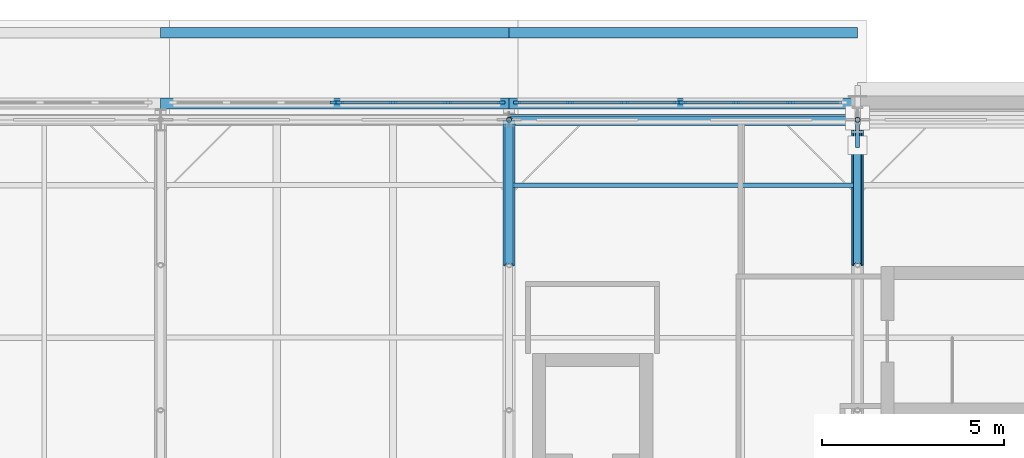
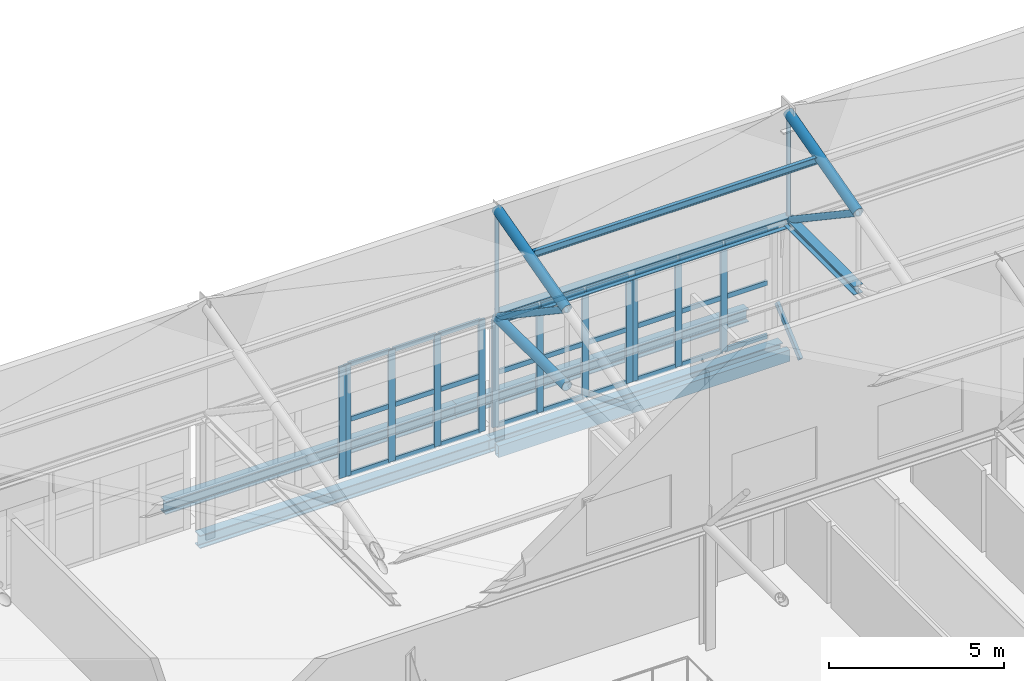
# One storey, part 43 of 89: 49 members, 6 beams, 4 elements without a shape of their own.
"""IFC4 building model written with IfcOpenShell, lengths in metres."""

from ifc_helpers import new_model, si_unit, direction, frame, origin, origin_2d, place, context, subcontext, project, spatial, rectangle, hollow_rectangle, hollow_circle, i_section, extrude, material, layer, layer_set, material_profile, profile_set, type_object, element, aggregate, save


model = new_model("IFC4")

# Units and contexts
model_context = context("Model", 3, precision=1e-05, world=origin(), true_north=direction((0.0, 1.0)))
body_context = subcontext(model_context, "Body", "Model", "MODEL_VIEW")
ifc_project = project(units=[si_unit("LENGTHUNIT", "METRE"), si_unit("AREAUNIT", "SQUARE_METRE"), si_unit("VOLUMEUNIT", "CUBIC_METRE"), si_unit("PLANEANGLEUNIT", "RADIAN"), si_unit("MASSUNIT", "GRAM", prefix="KILO")], contexts=[model_context])

# Site, building, storey
site_placement = place(None, origin())
site = spatial("IfcSite", under=ifc_project, at=site_placement, CompositionType="ELEMENT")
building_placement = place(site_placement, origin())
building = spatial("IfcBuilding", under=site, at=building_placement, Name="Zereglee Splitstone Museum", CompositionType="ELEMENT")
storey_placement = place(building_placement, frame((0.0, 0.0, 21.300048828125)))
storey = spatial("IfcBuildingStorey", under=building, at=storey_placement, Name="L04", CompositionType="ELEMENT", Elevation=21.300048828125)

# Members
ifc_material_1 = material(Name="Steel S355J2H", Category="steel")
ifc_material_profile_1 = material_profile(ifc_material_1, hollow_circle(Radius=0.109619140625, WallThickness=0.010009765625, at=origin_2d()), Name="CHS 219.1x10")
ifc_profile_set_1 = profile_set([ifc_material_profile_1], Name="Steel S355J2H")
member_type_1 = type_object("IfcMemberType", Name="TB-03", PredefinedType="BRACE", material=ifc_profile_set_1)
for number, where, z_axis, x_axis, name in (
    (1, (116.39990234375, 50.39990234375, 4.199951171875), (0.0, -0.830448263685, 0.557095755991), (1.0, 0.0, 0.0), "Roof Truss ST-05 Diagonal 3.3"),
    (2, (126.0, 50.39990234375, 4.199951171875), (0.0, -0.830448263685, 0.557095755991), (1.0, 0.0, 0.0), "Roof Truss ST-06 Diagonal 3.3"),
):
    element("IfcMember", number, at=place(storey_placement, frame(where, z_axis=z_axis, x_axis=x_axis)), inside=storey, type_object=member_type_1, Name=name, PredefinedType="BRACE", context=body_context, shape_type="SweptSolid", body=[
        extrude(hollow_circle(Radius=0.109619140625, WallThickness=0.010009765625, at=origin_2d()), origin(), (0.0, 0.0, 1.0), 4.816650390625),
    ])

# Curtain wall, members
ifc_material_2 = material(Name="Triple-glazed low-E argon glass and bronze-anodised aluminium", Category="aluminium")
ifc_layer_1 = layer(ifc_material_2, 0.219970703125)
ifc_layer_set_1 = layer_set([ifc_layer_1], Name="Triple-glazed low-E argon glass and bronze-anodised aluminium")
curtain_wall_type_1 = type_object("IfcCurtainWallType", Name="CW-0449-378", PredefinedType="USERDEFINED", material=ifc_layer_set_1)
curtain_wall_1_placement = place(storey_placement, origin())
curtain_wall_1 = element("IfcCurtainWall", 3, at=curtain_wall_1_placement, inside=storey, type_object=curtain_wall_type_1, Name="Glazed Curtain Wall CW-0449-378 (L04)", ObjectType="GLAZED CURTAIN WALL", PredefinedType="USERDEFINED")
ifc_material_3 = material(Name="Thermally broken bronze-anodised aluminium", Category="aluminium")
ifc_material_profile_2 = material_profile(ifc_material_3, rectangle(XDim=0.074951171875, YDim=0.219970703125, at=origin_2d()), Name="CW MULL 75x220")
ifc_profile_set_2 = profile_set([ifc_material_profile_2], Name="Thermally broken bronze-anodised aluminium")
member_type_2 = type_object("IfcMemberType", Name="CWM-02", PredefinedType="MULLION", material=ifc_profile_set_2)
member_1_placement = place(storey_placement, frame((124.146240234375, 50.8798828125, 0.0), z_axis=(0.0, 0.0, 1.0), x_axis=(0.0, -1.0, 0.0)))
member_1 = element("IfcMember", 4, at=member_1_placement, type_object=member_type_2, Name="CW-0449-378 mullion 2", PredefinedType="MULLION", context=body_context, shape_type="SweptSolid", body=[
    extrude(rectangle(XDim=0.074951171875, YDim=0.219970703125, at=origin_2d()), origin(), (0.0, 0.0, 1.0), 3.780029296875),
])
member_2_placement = place(storey_placement, frame((122.650634765625, 50.8798828125, 0.0), z_axis=(0.0, 0.0, 1.0), x_axis=(0.0, -1.0, 0.0)))
member_2 = element("IfcMember", 5, at=member_2_placement, type_object=member_type_2, Name="CW-0449-378 mullion 3", PredefinedType="MULLION", context=body_context, shape_type="SweptSolid", body=[
    extrude(rectangle(XDim=0.074951171875, YDim=0.219970703125, at=origin_2d()), origin(), (0.0, 0.0, 1.0), 3.780029296875),
])
member_3_placement = place(storey_placement, frame((121.1923828125, 50.8798828125, 0.0), z_axis=(0.0, 0.0, 1.0), x_axis=(0.0, -1.0, 0.0)))
member_3 = element("IfcMember", 6, at=member_3_placement, type_object=member_type_2, Name="CW-0449-378 mullion 4", PredefinedType="MULLION", context=body_context, shape_type="SweptSolid", body=[
    extrude(rectangle(XDim=0.074951171875, YDim=0.219970703125, at=origin_2d()), origin(), (0.0, 0.0, 1.0), 3.780029296875),
])

ifc_layer_2 = layer(ifc_material_2, 0.219970703125)
ifc_layer_set_2 = layer_set([ifc_layer_2], Name="Triple-glazed low-E argon glass and bronze-anodised aluminium")
curtain_wall_type_2 = type_object("IfcCurtainWallType", Name="CW-0449-376", PredefinedType="USERDEFINED", material=ifc_layer_set_2)
curtain_wall_2_placement = place(storey_placement, origin())
curtain_wall_2 = element("IfcCurtainWall", 7, at=curtain_wall_2_placement, inside=storey, type_object=curtain_wall_type_2, Name="Glazed Curtain Wall CW-0449-376 (L04)", ObjectType="GLAZED CURTAIN WALL", PredefinedType="USERDEFINED")
member_4_placement = place(storey_placement, frame((121.03759765625, 50.8798828125, 0.0), z_axis=(0.0, 0.0, 1.0), x_axis=(0.0, -1.0, 0.0)))
member_4 = element("IfcMember", 8, at=member_4_placement, type_object=member_type_2, Name="CW-0449-376 mullion 1", PredefinedType="MULLION", context=body_context, shape_type="SweptSolid", body=[
    extrude(rectangle(XDim=0.074951171875, YDim=0.219970703125, at=origin_2d()), origin(), (0.0, 0.0, 1.0), 3.760009765625),
])
member_5_placement = place(storey_placement, frame((119.579345703125, 50.8798828125, 0.0), z_axis=(0.0, 0.0, 1.0), x_axis=(0.0, -1.0, 0.0)))
member_5 = element("IfcMember", 9, at=member_5_placement, type_object=member_type_2, Name="CW-0449-376 mullion 2", PredefinedType="MULLION", context=body_context, shape_type="SweptSolid", body=[
    extrude(rectangle(XDim=0.074951171875, YDim=0.219970703125, at=origin_2d()), origin(), (0.0, 0.0, 1.0), 3.760009765625),
])
member_6_placement = place(storey_placement, frame((118.083740234375, 50.8798828125, 0.0), z_axis=(0.0, 0.0, 1.0), x_axis=(0.0, -1.0, 0.0)))
member_6 = element("IfcMember", 10, at=member_6_placement, type_object=member_type_2, Name="CW-0449-376 mullion 3", PredefinedType="MULLION", context=body_context, shape_type="SweptSolid", body=[
    extrude(rectangle(XDim=0.074951171875, YDim=0.219970703125, at=origin_2d()), origin(), (0.0, 0.0, 1.0), 3.760009765625),
])
member_7_placement = place(storey_placement, frame((116.62548828125, 50.8798828125, 0.0), z_axis=(0.0, 0.0, 1.0), x_axis=(0.0, -1.0, 0.0)))
member_7 = element("IfcMember", 11, at=member_7_placement, type_object=member_type_2, Name="CW-0449-376 mullion 4", PredefinedType="MULLION", context=body_context, shape_type="SweptSolid", body=[
    extrude(rectangle(XDim=0.074951171875, YDim=0.219970703125, at=origin_2d()), origin(), (0.0, 0.0, 1.0), 3.760009765625),
])

ifc_layer_3 = layer(ifc_material_2, 0.219970703125)
ifc_layer_set_3 = layer_set([ifc_layer_3], Name="Triple-glazed low-E argon glass and bronze-anodised aluminium")
curtain_wall_type_3 = type_object("IfcCurtainWallType", Name="CW-0451-390", PredefinedType="USERDEFINED", material=ifc_layer_set_3)
curtain_wall_3_placement = place(storey_placement, origin())
curtain_wall_3 = element("IfcCurtainWall", 12, at=curtain_wall_3_placement, inside=storey, type_object=curtain_wall_type_3, Name="Glazed Curtain Wall CW-0451-390 (L04)", ObjectType="GLAZED CURTAIN WALL", PredefinedType="USERDEFINED")
member_8_placement = place(storey_placement, frame((116.174560546875, 50.8798828125, 0.0), z_axis=(0.0, 0.0, 1.0), x_axis=(0.0, -1.0, 0.0)))
member_8 = element("IfcMember", 13, at=member_8_placement, type_object=member_type_2, Name="CW-0451-390 mullion 1", PredefinedType="MULLION", context=body_context, shape_type="SweptSolid", body=[
    extrude(rectangle(XDim=0.074951171875, YDim=0.219970703125, at=origin_2d()), origin(), (0.0, 0.0, 1.0), 3.89990234375),
])
member_9_placement = place(storey_placement, frame((114.7080078125, 50.8798828125, 0.0), z_axis=(0.0, 0.0, 1.0), x_axis=(0.0, -1.0, 0.0)))
member_9 = element("IfcMember", 14, at=member_9_placement, type_object=member_type_2, Name="CW-0451-390 mullion 2", PredefinedType="MULLION", context=body_context, shape_type="SweptSolid", body=[
    extrude(rectangle(XDim=0.074951171875, YDim=0.219970703125, at=origin_2d()), origin(), (0.0, 0.0, 1.0), 3.89990234375),
])
member_10_placement = place(storey_placement, frame((113.2041015625, 50.8798828125, 0.0), z_axis=(0.0, 0.0, 1.0), x_axis=(0.0, -1.0, 0.0)))
member_10 = element("IfcMember", 15, at=member_10_placement, type_object=member_type_2, Name="CW-0451-390 mullion 3", PredefinedType="MULLION", context=body_context, shape_type="SweptSolid", body=[
    extrude(rectangle(XDim=0.074951171875, YDim=0.219970703125, at=origin_2d()), origin(), (0.0, 0.0, 1.0), 3.89990234375),
])
member_11_placement = place(storey_placement, frame((111.737548828125, 50.8798828125, 0.0), z_axis=(0.0, 0.0, 1.0), x_axis=(0.0, -1.0, 0.0)))
member_11 = element("IfcMember", 16, at=member_11_placement, type_object=member_type_2, Name="CW-0451-390 mullion 4", PredefinedType="MULLION", context=body_context, shape_type="SweptSolid", body=[
    extrude(rectangle(XDim=0.074951171875, YDim=0.219970703125, at=origin_2d()), origin(), (0.0, 0.0, 1.0), 3.89990234375),
])

# Curtain wall, member
ifc_layer_4 = layer(ifc_material_2, 0.219970703125)
ifc_layer_set_4 = layer_set([ifc_layer_4], Name="Triple-glazed low-E argon glass and bronze-anodised aluminium")
curtain_wall_type_4 = type_object("IfcCurtainWallType", Name="CW-0451-388", PredefinedType="USERDEFINED", material=ifc_layer_set_4)
curtain_wall_4_placement = place(storey_placement, origin())
curtain_wall_4 = element("IfcCurtainWall", 17, at=curtain_wall_4_placement, inside=storey, type_object=curtain_wall_type_4, Name="Glazed Curtain Wall CW-0451-388 (L04)", ObjectType="GLAZED CURTAIN WALL", PredefinedType="USERDEFINED")
member_12_placement = place(storey_placement, frame((111.58251953125, 50.8798828125, 0.0), z_axis=(0.0, 0.0, 1.0), x_axis=(0.0, -1.0, 0.0)))
member_12 = element("IfcMember", 18, at=member_12_placement, type_object=member_type_2, Name="CW-0451-388 mullion 1", PredefinedType="MULLION", context=body_context, shape_type="SweptSolid", body=[
    extrude(rectangle(XDim=0.074951171875, YDim=0.219970703125, at=origin_2d()), origin(), (0.0, 0.0, 1.0), 3.8798828125),
])
aggregate(curtain_wall_4, [member_12])

# Member
ifc_material_profile_3 = material_profile(ifc_material_3, rectangle(XDim=0.074951171875, YDim=0.1650390625, at=origin_2d()), Name="CW TRAN 75x165")
ifc_profile_set_3 = profile_set([ifc_material_profile_3], Name="Thermally broken bronze-anodised aluminium")
member_type_3 = type_object("IfcMemberType", Name="CWT-02", PredefinedType="USERDEFINED", material=ifc_profile_set_3)
member_13_placement = place(storey_placement, frame((125.56689453125, 50.8798828125, 0.037353515625), z_axis=(-1.0, 0.0, 0.0), x_axis=(0.0, -1.0, 0.0)))
member_13 = element("IfcMember", 19, at=member_13_placement, type_object=member_type_3, Name="CW-0449-378 transom 1.1", ObjectType="TRANSOM", PredefinedType="USERDEFINED", context=body_context, shape_type="SweptSolid", body=[
    extrude(rectangle(XDim=0.074951171875, YDim=0.1650390625, at=origin_2d()), origin(), (0.0, 0.0, 1.0), 1.383056640625),
])

member_14_placement = place(storey_placement, frame((125.56689453125, 50.8798828125, 1.889892578125), z_axis=(-1.0, 0.0, 0.0), x_axis=(0.0, -1.0, 0.0)))
member_14 = element("IfcMember", 20, at=member_14_placement, type_object=member_type_3, Name="CW-0449-378 transom 1.2", ObjectType="TRANSOM", PredefinedType="USERDEFINED", context=body_context, shape_type="SweptSolid", body=[
    extrude(rectangle(XDim=0.074951171875, YDim=0.1650390625, at=origin_2d()), origin(), (0.0, 0.0, 1.0), 1.383056640625),
])

member_15_placement = place(storey_placement, frame((125.56689453125, 50.8798828125, 3.742431640625), z_axis=(-1.0, 0.0, 0.0), x_axis=(0.0, -1.0, 0.0)))
member_15 = element("IfcMember", 21, at=member_15_placement, type_object=member_type_3, Name="CW-0449-378 transom 1.3", ObjectType="TRANSOM", PredefinedType="USERDEFINED", context=body_context, shape_type="SweptSolid", body=[
    extrude(rectangle(XDim=0.074951171875, YDim=0.1650390625, at=origin_2d()), origin(), (0.0, 0.0, 1.0), 1.383056640625),
])

member_16_placement = place(storey_placement, frame((124.10888671875, 50.8798828125, 0.037353515625), z_axis=(-1.0, 0.0, 0.0), x_axis=(0.0, -1.0, 0.0)))
member_16 = element("IfcMember", 22, at=member_16_placement, type_object=member_type_3, Name="CW-0449-378 transom 2.1", ObjectType="TRANSOM", PredefinedType="USERDEFINED", context=body_context, shape_type="SweptSolid", body=[
    extrude(rectangle(XDim=0.074951171875, YDim=0.1650390625, at=origin_2d()), origin(), (0.0, 0.0, 1.0), 1.420654296875),
])

member_17_placement = place(storey_placement, frame((124.10888671875, 50.8798828125, 1.889892578125), z_axis=(-1.0, 0.0, 0.0), x_axis=(0.0, -1.0, 0.0)))
member_17 = element("IfcMember", 23, at=member_17_placement, type_object=member_type_3, Name="CW-0449-378 transom 2.2", ObjectType="TRANSOM", PredefinedType="USERDEFINED", context=body_context, shape_type="SweptSolid", body=[
    extrude(rectangle(XDim=0.074951171875, YDim=0.1650390625, at=origin_2d()), origin(), (0.0, 0.0, 1.0), 1.420654296875),
])

member_18_placement = place(storey_placement, frame((124.10888671875, 50.8798828125, 3.742431640625), z_axis=(-1.0, 0.0, 0.0), x_axis=(0.0, -1.0, 0.0)))
member_18 = element("IfcMember", 24, at=member_18_placement, type_object=member_type_3, Name="CW-0449-378 transom 2.3", ObjectType="TRANSOM", PredefinedType="USERDEFINED", context=body_context, shape_type="SweptSolid", body=[
    extrude(rectangle(XDim=0.074951171875, YDim=0.1650390625, at=origin_2d()), origin(), (0.0, 0.0, 1.0), 1.420654296875),
])

member_19_placement = place(storey_placement, frame((122.61328125, 50.8798828125, 0.037353515625), z_axis=(-1.0, 0.0, 0.0), x_axis=(0.0, -1.0, 0.0)))
member_19 = element("IfcMember", 25, at=member_19_placement, type_object=member_type_3, Name="CW-0449-378 transom 3.1", ObjectType="TRANSOM", PredefinedType="USERDEFINED", context=body_context, shape_type="SweptSolid", body=[
    extrude(rectangle(XDim=0.074951171875, YDim=0.1650390625, at=origin_2d()), origin(), (0.0, 0.0, 1.0), 1.38330078125),
])

member_20_placement = place(storey_placement, frame((122.61328125, 50.8798828125, 1.889892578125), z_axis=(-1.0, 0.0, 0.0), x_axis=(0.0, -1.0, 0.0)))
member_20 = element("IfcMember", 26, at=member_20_placement, type_object=member_type_3, Name="CW-0449-378 transom 3.2", ObjectType="TRANSOM", PredefinedType="USERDEFINED", context=body_context, shape_type="SweptSolid", body=[
    extrude(rectangle(XDim=0.074951171875, YDim=0.1650390625, at=origin_2d()), origin(), (0.0, 0.0, 1.0), 1.38330078125),
])

member_21_placement = place(storey_placement, frame((122.61328125, 50.8798828125, 3.742431640625), z_axis=(-1.0, 0.0, 0.0), x_axis=(0.0, -1.0, 0.0)))
member_21 = element("IfcMember", 27, at=member_21_placement, type_object=member_type_3, Name="CW-0449-378 transom 3.3", ObjectType="TRANSOM", PredefinedType="USERDEFINED", context=body_context, shape_type="SweptSolid", body=[
    extrude(rectangle(XDim=0.074951171875, YDim=0.1650390625, at=origin_2d()), origin(), (0.0, 0.0, 1.0), 1.38330078125),
])

aggregate(curtain_wall_1, [member_1, member_2, member_3, member_13, member_14, member_15, member_16, member_17, member_18, member_19, member_20, member_21])

member_22_placement = place(storey_placement, frame((121.0, 50.8798828125, 0.037353515625), z_axis=(-1.0, 0.0, 0.0), x_axis=(0.0, -1.0, 0.0)))
member_22 = element("IfcMember", 28, at=member_22_placement, type_object=member_type_3, Name="CW-0449-376 transom 1.1", ObjectType="TRANSOM", PredefinedType="USERDEFINED", context=body_context, shape_type="SweptSolid", body=[
    extrude(rectangle(XDim=0.074951171875, YDim=0.1650390625, at=origin_2d()), origin(), (0.0, 0.0, 1.0), 1.383056640625),
])

member_23_placement = place(storey_placement, frame((121.0, 50.8798828125, 1.8798828125), z_axis=(-1.0, 0.0, 0.0), x_axis=(0.0, -1.0, 0.0)))
member_23 = element("IfcMember", 29, at=member_23_placement, type_object=member_type_3, Name="CW-0449-376 transom 1.2", ObjectType="TRANSOM", PredefinedType="USERDEFINED", context=body_context, shape_type="SweptSolid", body=[
    extrude(rectangle(XDim=0.074951171875, YDim=0.1650390625, at=origin_2d()), origin(), (0.0, 0.0, 1.0), 1.383056640625),
])

member_24_placement = place(storey_placement, frame((121.0, 50.8798828125, 3.722412109375), z_axis=(-1.0, 0.0, 0.0), x_axis=(0.0, -1.0, 0.0)))
member_24 = element("IfcMember", 30, at=member_24_placement, type_object=member_type_3, Name="CW-0449-376 transom 1.3", ObjectType="TRANSOM", PredefinedType="USERDEFINED", context=body_context, shape_type="SweptSolid", body=[
    extrude(rectangle(XDim=0.074951171875, YDim=0.1650390625, at=origin_2d()), origin(), (0.0, 0.0, 1.0), 1.383056640625),
])

member_25_placement = place(storey_placement, frame((119.541748046875, 50.8798828125, 0.037353515625), z_axis=(-1.0, 0.0, 0.0), x_axis=(0.0, -1.0, 0.0)))
member_25 = element("IfcMember", 31, at=member_25_placement, type_object=member_type_3, Name="CW-0449-376 transom 2.1", ObjectType="TRANSOM", PredefinedType="USERDEFINED", context=body_context, shape_type="SweptSolid", body=[
    extrude(rectangle(XDim=0.074951171875, YDim=0.1650390625, at=origin_2d()), origin(), (0.0, 0.0, 1.0), 1.420654296875),
])

member_26_placement = place(storey_placement, frame((119.541748046875, 50.8798828125, 1.8798828125), z_axis=(-1.0, 0.0, 0.0), x_axis=(0.0, -1.0, 0.0)))
member_26 = element("IfcMember", 32, at=member_26_placement, type_object=member_type_3, Name="CW-0449-376 transom 2.2", ObjectType="TRANSOM", PredefinedType="USERDEFINED", context=body_context, shape_type="SweptSolid", body=[
    extrude(rectangle(XDim=0.074951171875, YDim=0.1650390625, at=origin_2d()), origin(), (0.0, 0.0, 1.0), 1.420654296875),
])

member_27_placement = place(storey_placement, frame((119.541748046875, 50.8798828125, 3.722412109375), z_axis=(-1.0, 0.0, 0.0), x_axis=(0.0, -1.0, 0.0)))
member_27 = element("IfcMember", 33, at=member_27_placement, type_object=member_type_3, Name="CW-0449-376 transom 2.3", ObjectType="TRANSOM", PredefinedType="USERDEFINED", context=body_context, shape_type="SweptSolid", body=[
    extrude(rectangle(XDim=0.074951171875, YDim=0.1650390625, at=origin_2d()), origin(), (0.0, 0.0, 1.0), 1.420654296875),
])

member_28_placement = place(storey_placement, frame((118.046142578125, 50.8798828125, 0.037353515625), z_axis=(-1.0, 0.0, 0.0), x_axis=(0.0, -1.0, 0.0)))
member_28 = element("IfcMember", 34, at=member_28_placement, type_object=member_type_3, Name="CW-0449-376 transom 3.1", ObjectType="TRANSOM", PredefinedType="USERDEFINED", context=body_context, shape_type="SweptSolid", body=[
    extrude(rectangle(XDim=0.074951171875, YDim=0.1650390625, at=origin_2d()), origin(), (0.0, 0.0, 1.0), 1.383056640625),
])

member_29_placement = place(storey_placement, frame((118.046142578125, 50.8798828125, 1.8798828125), z_axis=(-1.0, 0.0, 0.0), x_axis=(0.0, -1.0, 0.0)))
member_29 = element("IfcMember", 35, at=member_29_placement, type_object=member_type_3, Name="CW-0449-376 transom 3.2", ObjectType="TRANSOM", PredefinedType="USERDEFINED", context=body_context, shape_type="SweptSolid", body=[
    extrude(rectangle(XDim=0.074951171875, YDim=0.1650390625, at=origin_2d()), origin(), (0.0, 0.0, 1.0), 1.383056640625),
])

member_30_placement = place(storey_placement, frame((118.046142578125, 50.8798828125, 3.722412109375), z_axis=(-1.0, 0.0, 0.0), x_axis=(0.0, -1.0, 0.0)))
member_30 = element("IfcMember", 36, at=member_30_placement, type_object=member_type_3, Name="CW-0449-376 transom 3.3", ObjectType="TRANSOM", PredefinedType="USERDEFINED", context=body_context, shape_type="SweptSolid", body=[
    extrude(rectangle(XDim=0.074951171875, YDim=0.1650390625, at=origin_2d()), origin(), (0.0, 0.0, 1.0), 1.383056640625),
])

aggregate(curtain_wall_2, [member_4, member_5, member_6, member_7, member_22, member_23, member_24, member_25, member_26, member_27, member_28, member_29, member_30])

member_31_placement = place(storey_placement, frame((116.136962890625, 50.8798828125, 0.037353515625), z_axis=(-1.0, 0.0, 0.0), x_axis=(0.0, -1.0, 0.0)))
member_31 = element("IfcMember", 37, at=member_31_placement, type_object=member_type_3, Name="CW-0451-390 transom 1.1", ObjectType="TRANSOM", PredefinedType="USERDEFINED", context=body_context, shape_type="SweptSolid", body=[
    extrude(rectangle(XDim=0.074951171875, YDim=0.1650390625, at=origin_2d()), origin(), (0.0, 0.0, 1.0), 1.391357421875),
])

member_32_placement = place(storey_placement, frame((116.136962890625, 50.8798828125, 1.949951171875), z_axis=(-1.0, 0.0, 0.0), x_axis=(0.0, -1.0, 0.0)))
member_32 = element("IfcMember", 38, at=member_32_placement, type_object=member_type_3, Name="CW-0451-390 transom 1.2", ObjectType="TRANSOM", PredefinedType="USERDEFINED", context=body_context, shape_type="SweptSolid", body=[
    extrude(rectangle(XDim=0.074951171875, YDim=0.1650390625, at=origin_2d()), origin(), (0.0, 0.0, 1.0), 1.391357421875),
])

member_33_placement = place(storey_placement, frame((116.136962890625, 50.8798828125, 3.862548828125), z_axis=(-1.0, 0.0, 0.0), x_axis=(0.0, -1.0, 0.0)))
member_33 = element("IfcMember", 39, at=member_33_placement, type_object=member_type_3, Name="CW-0451-390 transom 1.3", ObjectType="TRANSOM", PredefinedType="USERDEFINED", context=body_context, shape_type="SweptSolid", body=[
    extrude(rectangle(XDim=0.074951171875, YDim=0.1650390625, at=origin_2d()), origin(), (0.0, 0.0, 1.0), 1.391357421875),
])

member_34_placement = place(storey_placement, frame((114.67041015625, 50.8798828125, 0.037353515625), z_axis=(-1.0, 0.0, 0.0), x_axis=(0.0, -1.0, 0.0)))
member_34 = element("IfcMember", 40, at=member_34_placement, type_object=member_type_3, Name="CW-0451-390 transom 2.1", ObjectType="TRANSOM", PredefinedType="USERDEFINED", context=body_context, shape_type="SweptSolid", body=[
    extrude(rectangle(XDim=0.074951171875, YDim=0.1650390625, at=origin_2d()), origin(), (0.0, 0.0, 1.0), 1.428955078125),
])

member_35_placement = place(storey_placement, frame((114.67041015625, 50.8798828125, 1.949951171875), z_axis=(-1.0, 0.0, 0.0), x_axis=(0.0, -1.0, 0.0)))
member_35 = element("IfcMember", 41, at=member_35_placement, type_object=member_type_3, Name="CW-0451-390 transom 2.2", ObjectType="TRANSOM", PredefinedType="USERDEFINED", context=body_context, shape_type="SweptSolid", body=[
    extrude(rectangle(XDim=0.074951171875, YDim=0.1650390625, at=origin_2d()), origin(), (0.0, 0.0, 1.0), 1.428955078125),
])

member_36_placement = place(storey_placement, frame((114.67041015625, 50.8798828125, 3.862548828125), z_axis=(-1.0, 0.0, 0.0), x_axis=(0.0, -1.0, 0.0)))
member_36 = element("IfcMember", 42, at=member_36_placement, type_object=member_type_3, Name="CW-0451-390 transom 2.3", ObjectType="TRANSOM", PredefinedType="USERDEFINED", context=body_context, shape_type="SweptSolid", body=[
    extrude(rectangle(XDim=0.074951171875, YDim=0.1650390625, at=origin_2d()), origin(), (0.0, 0.0, 1.0), 1.428955078125),
])

member_37_placement = place(storey_placement, frame((113.16650390625, 50.8798828125, 0.037353515625), z_axis=(-1.0, 0.0, 0.0), x_axis=(0.0, -1.0, 0.0)))
member_37 = element("IfcMember", 43, at=member_37_placement, type_object=member_type_3, Name="CW-0451-390 transom 3.1", ObjectType="TRANSOM", PredefinedType="USERDEFINED", context=body_context, shape_type="SweptSolid", body=[
    extrude(rectangle(XDim=0.074951171875, YDim=0.1650390625, at=origin_2d()), origin(), (0.0, 0.0, 1.0), 1.3916015625),
])

member_38_placement = place(storey_placement, frame((113.16650390625, 50.8798828125, 1.949951171875), z_axis=(-1.0, 0.0, 0.0), x_axis=(0.0, -1.0, 0.0)))
member_38 = element("IfcMember", 44, at=member_38_placement, type_object=member_type_3, Name="CW-0451-390 transom 3.2", ObjectType="TRANSOM", PredefinedType="USERDEFINED", context=body_context, shape_type="SweptSolid", body=[
    extrude(rectangle(XDim=0.074951171875, YDim=0.1650390625, at=origin_2d()), origin(), (0.0, 0.0, 1.0), 1.3916015625),
])

member_39_placement = place(storey_placement, frame((113.16650390625, 50.8798828125, 3.862548828125), z_axis=(-1.0, 0.0, 0.0), x_axis=(0.0, -1.0, 0.0)))
member_39 = element("IfcMember", 45, at=member_39_placement, type_object=member_type_3, Name="CW-0451-390 transom 3.3", ObjectType="TRANSOM", PredefinedType="USERDEFINED", context=body_context, shape_type="SweptSolid", body=[
    extrude(rectangle(XDim=0.074951171875, YDim=0.1650390625, at=origin_2d()), origin(), (0.0, 0.0, 1.0), 1.3916015625),
])

aggregate(curtain_wall_3, [member_8, member_9, member_10, member_11, member_31, member_32, member_33, member_34, member_35, member_36, member_37, member_38, member_39])

# Members
ifc_material_profile_4 = material_profile(ifc_material_1, hollow_circle(Radius=0.161865234375, WallThickness=0.01611328125, at=origin_2d()), Name="CHS 323.9x16")
ifc_profile_set_4 = profile_set([ifc_material_profile_4], Name="Steel S355J2H")
member_type_4 = type_object("IfcMemberType", Name="TC-05", PredefinedType="CHORD", material=ifc_profile_set_4)
member_40_placement = place(storey_placement, frame((116.39990234375, 46.39990234375, 4.199951171875), z_axis=(0.0, 1.0, 0.0), x_axis=(-1.0, 0.0, 0.0)))
element("IfcMember", 46, at=member_40_placement, inside=storey, type_object=member_type_4, Name="Roof Truss ST-05 Bottom Chord 3.3", PredefinedType="CHORD", context=body_context, shape_type="SweptSolid", body=[
    extrude(hollow_circle(Radius=0.161865234375, WallThickness=0.01611328125, at=origin_2d()), origin(), (0.0, 0.0, 1.0), 4.0),
])
for number, where, z_axis, x_axis, name in (
    (47, (116.39990234375, 46.39990234375, 6.88330078125), (0.0, 0.966235918422, 0.257658979955), (-1.0, 0.0, 0.0), "Roof Truss ST-05 Top Chord 3.3"),
    (48, (126.0, 46.39990234375, 6.88330078125), (0.0, 0.966235918422, 0.257658979955), (-1.0, 0.0, 0.0), "Roof Truss ST-06 Top Chord 3.3"),
):
    element("IfcMember", number, at=place(storey_placement, frame(where, z_axis=z_axis, x_axis=x_axis)), inside=storey, type_object=member_type_4, Name=name, PredefinedType="CHORD", context=body_context, shape_type="SweptSolid", body=[
        extrude(hollow_circle(Radius=0.161865234375, WallThickness=0.01611328125, at=origin_2d()), origin(), (0.0, 0.0, 1.0), 4.139892578125),
    ])
ifc_material_4 = material(Name="Steel S355J2", Category="steel")
ifc_material_profile_5 = material_profile(ifc_material_4, i_section(OverallWidth=0.300048828125, OverallDepth=0.300048828125, WebThickness=0.010986328125, FlangeThickness=0.01904296875, FilletRadius=0.027099609375, at=origin_2d()), Name="HE 300 B")
ifc_profile_set_5 = profile_set([ifc_material_profile_5], Name="Steel S355J2")
member_type_5 = type_object("IfcMemberType", Name="TC-07", PredefinedType="CHORD", material=ifc_profile_set_5)
member_41_placement = place(storey_placement, frame((126.0, 46.39990234375, 4.199951171875), z_axis=(0.0, 1.0, 0.0), x_axis=(-1.0, 0.0, 0.0)))
element("IfcMember", 49, at=member_41_placement, inside=storey, type_object=member_type_5, Name="Roof Truss ST-06 Bottom Chord 3.3", PredefinedType="CHORD", context=body_context, shape_type="SweptSolid", body=[
    extrude(i_section(OverallWidth=0.300048828125, OverallDepth=0.300048828125, WebThickness=0.010986328125, FlangeThickness=0.01904296875, FilletRadius=0.027099609375, at=origin_2d()), origin(), (0.0, 0.0, 1.0), 4.0),
])

# Beam
ifc_material_profile_6 = material_profile(ifc_material_4, i_section(OverallWidth=0.300048828125, OverallDepth=0.360107421875, WebThickness=0.012451171875, FlangeThickness=0.0224609375, FilletRadius=0.027099609375, at=origin_2d()), Name="HE 360 B")
ifc_profile_set_6 = profile_set([ifc_material_profile_6], Name="Steel S355J2")
beam_type_1 = type_object("IfcBeamType", Name="BG-14", PredefinedType="BEAM", material=ifc_profile_set_6)
beam_1_placement = place(storey_placement, frame((116.39990234375, 50.39990234375, 4.199951171875), z_axis=(1.0, 0.0, 0.0), x_axis=(0.0, 1.0, 0.0)))
element("IfcBeam", 50, at=beam_1_placement, inside=storey, type_object=beam_type_1, Name="Sawtooth Monitor Sill Beam B5-S3", PredefinedType="BEAM", context=body_context, shape_type="SweptSolid", body=[
    extrude(i_section(OverallWidth=0.300048828125, OverallDepth=0.360107421875, WebThickness=0.012451171875, FlangeThickness=0.0224609375, FilletRadius=0.027099609375, at=origin_2d()), origin(), (0.0, 0.0, 1.0), 9.60009765625),
])

# Members
ifc_material_profile_7 = material_profile(ifc_material_1, hollow_circle(Radius=0.06982421875, WallThickness=0.008056640625, at=origin_2d()), Name="CHS 139.7x8")
ifc_profile_set_7 = profile_set([ifc_material_profile_7], Name="Steel S355J2H")
member_type_6 = type_object("IfcMemberType", Name="TP-03", PredefinedType="POST", material=ifc_profile_set_7)
for number, where, z_axis, x_axis, name in (
    (51, (116.39990234375, 50.39990234375, 4.199951171875), (0.0, 0.0, 1.0), (1.0, 0.0, 0.0), "Roof Truss ST-05 Post 3.3"),
    (52, (126.0, 50.39990234375, 4.199951171875), (0.0, 0.0, 1.0), (1.0, 0.0, 0.0), "Roof Truss ST-06 Post 3.3"),
):
    element("IfcMember", number, at=place(storey_placement, frame(where, z_axis=z_axis, x_axis=x_axis)), inside=storey, type_object=member_type_6, Name=name, PredefinedType="POST", context=body_context, shape_type="SweptSolid", body=[
        extrude(hollow_circle(Radius=0.06982421875, WallThickness=0.008056640625, at=origin_2d()), origin(), (0.0, 0.0, 1.0), 3.75),
    ])
ifc_material_profile_8 = material_profile(ifc_material_4, i_section(OverallWidth=0.1201171875, OverallDepth=0.239990234375, WebThickness=0.006103515625, FlangeThickness=0.009765625, FilletRadius=0.014892578125, at=origin_2d()), Name="IPE 240")
ifc_profile_set_8 = profile_set([ifc_material_profile_8], Name="Steel S355J2")
member_type_7 = type_object("IfcMemberType", Name="PR-03", PredefinedType="PURLIN", material=ifc_profile_set_8)
member_42_placement = place(storey_placement, frame((116.39990234375, 48.60009765625, 7.424072265625), z_axis=(1.0, 0.0, 0.0), x_axis=(0.0, 1.0, 0.0)))
element("IfcMember", 53, at=member_42_placement, inside=storey, type_object=member_type_7, Name="Sawtooth Roof Purlin B5-S3-3", PredefinedType="PURLIN", context=body_context, shape_type="SweptSolid", body=[
    extrude(i_section(OverallWidth=0.1201171875, OverallDepth=0.239990234375, WebThickness=0.006103515625, FlangeThickness=0.009765625, FilletRadius=0.014892578125, at=origin_2d()), origin(), (0.0, 0.0, 1.0), 9.60009765625),
])

# Beams
ifc_material_profile_9 = material_profile(ifc_material_4, i_section(OverallWidth=0.300048828125, OverallDepth=0.449951171875, WebThickness=0.013916015625, FlangeThickness=0.02587890625, FilletRadius=0.027099609375, at=origin_2d()), Name="HE 450 B")
ifc_profile_set_9 = profile_set([ifc_material_profile_9], Name="Steel S355J2")
beam_type_2 = type_object("IfcBeamType", Name="SP-02", PredefinedType="SPANDREL", material=ifc_profile_set_9)
beam_2_placement = place(storey_placement, frame((106.800048828125, 50.85009765625, -0.485107421875), z_axis=(1.0, 0.0, 0.0), x_axis=(0.0, 1.0, 0.0)))
element("IfcBeam", 54, at=beam_2_placement, inside=storey, type_object=beam_type_2, Name="Hovering Soffit Spandrel L04 (106.8-116.4)", PredefinedType="SPANDREL", context=body_context, shape_type="SweptSolid", body=[
    extrude(i_section(OverallWidth=0.300048828125, OverallDepth=0.449951171875, WebThickness=0.013916015625, FlangeThickness=0.02587890625, FilletRadius=0.027099609375, at=origin_2d()), origin(), (0.0, 0.0, 1.0), 9.599853515625),
])
beam_3_placement = place(storey_placement, frame((116.39990234375, 50.85009765625, -0.485107421875), z_axis=(1.0, 0.0, 0.0), x_axis=(0.0, 1.0, 0.0)))
element("IfcBeam", 55, at=beam_3_placement, inside=storey, type_object=beam_type_2, Name="Hovering Soffit Spandrel L04 (116.4-126.0)", PredefinedType="SPANDREL", context=body_context, shape_type="SweptSolid", body=[
    extrude(i_section(OverallWidth=0.300048828125, OverallDepth=0.449951171875, WebThickness=0.013916015625, FlangeThickness=0.02587890625, FilletRadius=0.027099609375, at=origin_2d()), origin(), (0.0, 0.0, 1.0), 9.60009765625),
])
beam_4_placement = place(storey_placement, frame((106.800048828125, 52.800048828125, -0.485107421875), z_axis=(1.0, 0.0, 0.0), x_axis=(0.0, 1.0, 0.0)))
element("IfcBeam", 56, at=beam_4_placement, inside=storey, type_object=beam_type_2, Name="Mughal Pishtaq Cornice Header Beam PSQ-ATRN-2", PredefinedType="SPANDREL", context=body_context, shape_type="SweptSolid", body=[
    extrude(i_section(OverallWidth=0.300048828125, OverallDepth=0.449951171875, WebThickness=0.013916015625, FlangeThickness=0.02587890625, FilletRadius=0.027099609375, at=origin_2d()), origin(), (0.0, 0.0, 1.0), 9.599853515625),
])
beam_5_placement = place(storey_placement, frame((116.39990234375, 52.800048828125, -0.485107421875), z_axis=(1.0, 0.0, 0.0), x_axis=(0.0, 1.0, 0.0)))
element("IfcBeam", 57, at=beam_5_placement, inside=storey, type_object=beam_type_2, Name="Mughal Pishtaq Cornice Header Beam PSQ-ATRN-3", PredefinedType="SPANDREL", context=body_context, shape_type="SweptSolid", body=[
    extrude(i_section(OverallWidth=0.300048828125, OverallDepth=0.449951171875, WebThickness=0.013916015625, FlangeThickness=0.02587890625, FilletRadius=0.027099609375, at=origin_2d()), origin(), (0.0, 0.0, 1.0), 9.60009765625),
])
ifc_material_profile_10 = material_profile(ifc_material_1, hollow_rectangle(XDim=0.199951171875, YDim=0.39990234375, WallThickness=0.01611328125, at=origin_2d()), Name="RHS 400x200x16")
ifc_profile_set_10 = profile_set([ifc_material_profile_10], Name="Steel S355J2H")
beam_type_3 = type_object("IfcBeamType", Name="SP-04", PredefinedType="SPANDREL", material=ifc_profile_set_10)
beam_6_placement = place(storey_placement, frame((116.39990234375, 50.39990234375, -0.4599609375), z_axis=(1.0, 0.0, 0.0), x_axis=(0.0, 1.0, 0.0)))
element("IfcBeam", 58, at=beam_6_placement, inside=storey, type_object=beam_type_3, Name="Primary Girder L04 F (116.4-126.0)", PredefinedType="SPANDREL", context=body_context, shape_type="SweptSolid", body=[
    extrude(hollow_rectangle(XDim=0.199951171875, YDim=0.39990234375, WallThickness=0.01611328125, at=origin_2d()), origin(), (0.0, 0.0, 1.0), 9.60009765625),
])

# Member
ifc_material_profile_11 = material_profile(ifc_material_1, hollow_rectangle(XDim=0.10009765625, YDim=0.179931640625, WallThickness=0.008056640625, at=origin_2d()), Name="RHS 180x100x8")
ifc_profile_set_11 = profile_set([ifc_material_profile_11], Name="Steel S355J2H")
member_type_8 = type_object("IfcMemberType", Name="FS-T2", PredefinedType="STRUT", material=ifc_profile_set_11)
member_43_placement = place(storey_placement, frame((126.0, 49.699951171875, -0.219970703125), z_axis=(0.0, 0.757166062891, 0.65322243777), x_axis=(-1.0, 0.0, 0.0)))
element("IfcMember", 59, at=member_43_placement, inside=storey, type_object=member_type_8, Name="Facet Tie-Back Strut FH-V2NE L04-01", PredefinedType="STRUT", context=body_context, shape_type="SweptSolid", body=[
    extrude(hollow_rectangle(XDim=0.10009765625, YDim=0.179931640625, WallThickness=0.008056640625, at=origin_2d()), origin(), (0.0, 0.0, 1.0), 1.775634765625),
])

save(model, "model.ifc")
